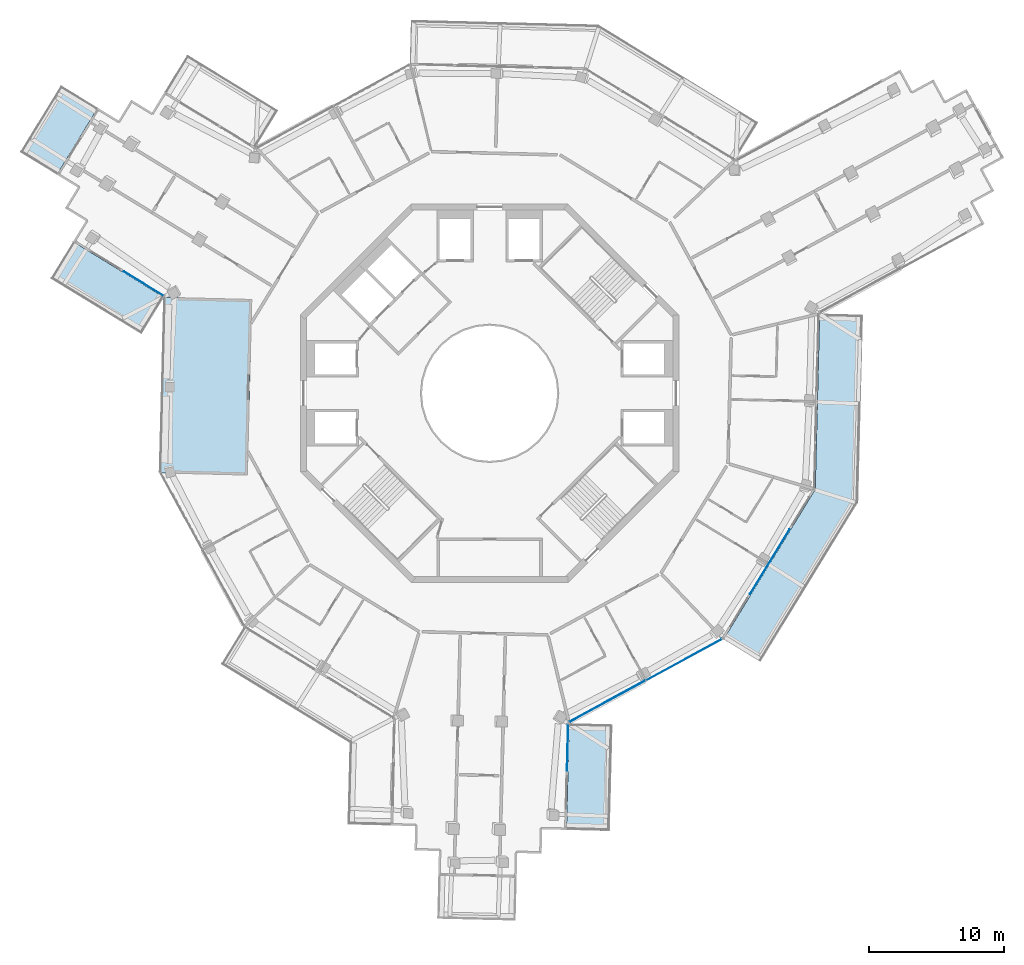
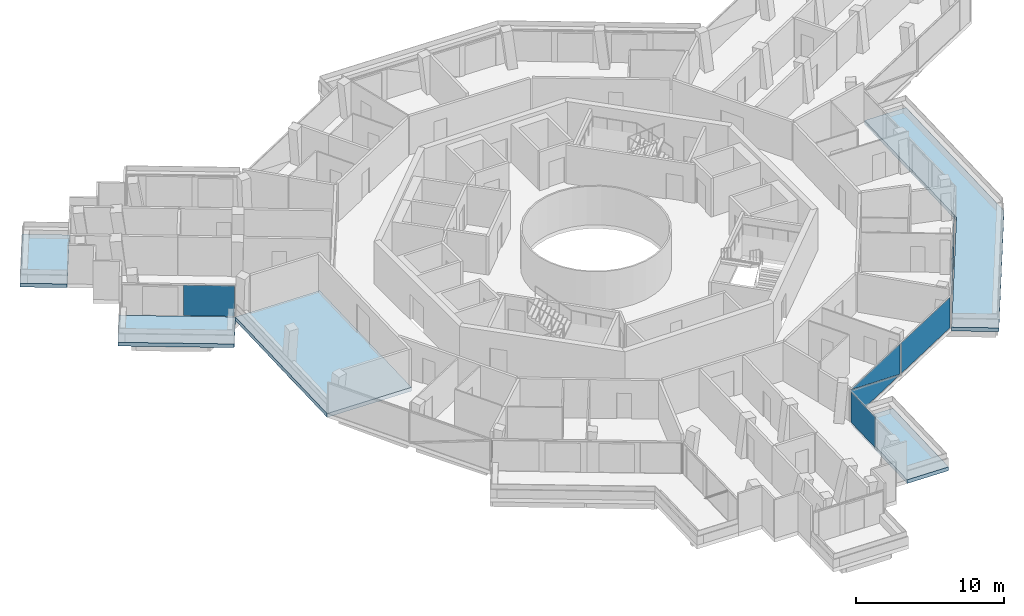
# One storey, part 12 of 24: 6 plates, 5 slabs, 4 elements without a shape of their own.
"""IFC4 building model written with IfcOpenShell, lengths in metres."""

from ifc_helpers import new_model, si_unit, direction, frame, origin, origin_2d, place, context, subcontext, project, spatial, polyline, rectangle, outline, extrude, material, layer, layer_set, type_object, element, aggregate, save


model = new_model("IFC4")

# Units and contexts
model_context = context("Model", 3, precision=1e-05, world=origin(), true_north=direction((0.0, 1.0)))
body_context = subcontext(model_context, "Body", "Model", "MODEL_VIEW")
ifc_project = project(units=[si_unit("LENGTHUNIT", "METRE"), si_unit("AREAUNIT", "SQUARE_METRE"), si_unit("VOLUMEUNIT", "CUBIC_METRE"), si_unit("PLANEANGLEUNIT", "RADIAN"), si_unit("MASSUNIT", "GRAM", prefix="KILO")], contexts=[model_context])

# Site, building, storey
site_placement = place(None, origin())
site = spatial("IfcSite", under=ifc_project, at=site_placement, CompositionType="ELEMENT")
building_placement = place(site_placement, origin())
building = spatial("IfcBuilding", under=site, at=building_placement, Name="Verdalira Terraces Hotel", CompositionType="ELEMENT")
storey_placement = place(building_placement, frame((0.0, 0.0, 274.0)))
storey = spatial("IfcBuildingStorey", under=building, at=storey_placement, Name="L67", CompositionType="ELEMENT", Elevation=274.0)

# Slabs
ifc_material_1 = material(Name="Precast concrete C40/50", Category="concrete")
ifc_layer_1 = layer(ifc_material_1, 0.31005859375)
ifc_layer_set_1 = layer_set([ifc_layer_1], Name="Balcony deck 310")
slab_type_1 = type_object("IfcSlabType", Name="Balcony deck 310", PredefinedType="FLOOR", material=ifc_layer_set_1)
slab_1_placement = place(storey_placement, frame((0.0, 0.0, -0.310059)))
element("IfcSlab", 1, at=slab_1_placement, inside=storey, type_object=slab_type_1, Name="Balcony deck", PredefinedType="FLOOR", context=body_context, shape_type="SweptSolid", body=[
    extrude(outline(polyline([(-34.736572, 17.837646), (-32.006348, 16.168457), (-28.980957, 21.116943), (-31.711182, 22.786133), (-34.736572, 17.837646)])), origin(), (0.0, 0.0, 1.0), 0.310059),
])
slab_2_placement = place(storey_placement, frame((0.0, 0.0, -0.310059)))
element("IfcSlab", 2, at=slab_2_placement, inside=storey, type_object=slab_type_1, Name="Balcony deck", PredefinedType="FLOOR", context=body_context, shape_type="SweptSolid", body=[
    extrude(outline(polyline([(-25.756348, 4.377441), (-24.087402, 7.107666), (-30.812744, 11.219238), (-32.481689, 8.489014), (-25.756348, 4.377441)])), origin(), (0.0, 0.0, 1.0), 0.310059),
])
slab_3_placement = place(storey_placement, frame((0.0, 0.0, -0.310059)))
element("IfcSlab", 3, at=slab_3_placement, inside=storey, type_object=slab_type_1, Name="Balcony deck", PredefinedType="FLOOR", context=body_context, shape_type="SweptSolid", body=[
    extrude(outline(polyline([(9.087402, -24.494385), (5.888428, -24.414062), (5.690186, -32.294189), (8.88916, -32.374512), (9.087402, -24.494385)])), origin(), (0.0, 0.0, 1.0), 0.310059),
])
slab_4_placement = place(storey_placement, frame((0.0, 0.0, -0.310059)))
element("IfcSlab", 4, at=slab_4_placement, inside=storey, type_object=slab_type_1, Name="Balcony deck", PredefinedType="FLOOR", context=body_context, shape_type="SweptSolid", body=[
    extrude(outline(polyline([(27.613037, 5.807861), (24.414062, 5.888428), (24.087402, -7.107666), (17.306396, -18.198975), (20.036621, -19.868164), (27.264648, -8.045166), (27.613037, 5.807861)])), origin(), (0.0, 0.0, 1.0), 0.310059),
])

# Curtain wall, plates
ifc_material_2 = material(Name="Clear glass", Category="glass")
ifc_layer_2 = layer(ifc_material_2, 0.14990234375)
ifc_layer_set_2 = layer_set([ifc_layer_2], Name="CW1 curtain wall")
curtain_wall_type_1 = type_object("IfcCurtainWallType", Name="CW1 curtain wall", PredefinedType="NOTDEFINED", material=ifc_layer_set_2)
curtain_wall_1_placement = place(storey_placement, origin())
curtain_wall_1 = element("IfcCurtainWall", 5, at=curtain_wall_1_placement, inside=storey, type_object=curtain_wall_type_1, Name="CW1 curtain wall L67 edge 25", PredefinedType="NOTDEFINED")
ifc_material_3 = material(Name="Clear glass", Category="glass")
ifc_layer_3 = layer(ifc_material_3, 0.028076171875)
ifc_layer_set_3 = layer_set([ifc_layer_3], Name="CW1 glass unit 28")
plate_type_1 = type_object("IfcPlateType", Name="CW1 glass unit 28", PredefinedType="CURTAIN_PANEL", material=ifc_layer_set_3)
plate_1_placement = place(storey_placement, frame((8.713623, -22.774658, 1.262451), z_axis=(0.478078794, -0.878316951, 0.0), x_axis=(0.878316951, 0.478078794, 0.0)))
plate_1 = element("IfcPlate", 6, at=plate_1_placement, type_object=plate_type_1, Name="CW1 glass unit", PredefinedType="CURTAIN_PANEL", context=body_context, shape_type="SweptSolid", body=[
    extrude(outline(polyline([(-3.205078, -1.262451), (3.205078, -1.262451), (-3.205078, 1.262451), (-3.205078, -1.262451)])), origin(), (0.0, 0.0, 1.0), 0.028076),
])
plate_2_placement = place(storey_placement, frame((8.699707, -22.749268, 1.262451), z_axis=(0.478078794, -0.878316951, 0.0), x_axis=(0.878316951, 0.478078794, 0.0)))
plate_2 = element("IfcPlate", 7, at=plate_2_placement, type_object=plate_type_1, Name="CW1 glass unit", PredefinedType="CURTAIN_PANEL", context=body_context, shape_type="SweptSolid", body=[
    extrude(outline(polyline([(3.205078, -1.262451), (3.205078, 1.262451), (-3.205078, 1.262451), (3.205078, -1.262451)])), origin(), (0.0, 0.0, 1.0), 0.028076),
])
plate_3_placement = place(storey_placement, frame((14.385254, -19.703613, 0.0), z_axis=(0.0, 0.0, 1.0), x_axis=(0.878316951, 0.478078794, 0.0)))
plate_3 = element("IfcPlate", 8, at=plate_3_placement, type_object=plate_type_1, Name="CW1 glass unit", PredefinedType="CURTAIN_PANEL", context=body_context, shape_type="SweptSolid", body=[
    extrude(rectangle(XDim=6.369873, YDim=0.028076, at=origin_2d()), origin(), (0.0, 0.0, 1.0), 2.524902),
])
aggregate(curtain_wall_1, [plate_1, plate_2, plate_3])

# Curtain wall, plate
curtain_wall_2_placement = place(storey_placement, origin())
curtain_wall_2 = element("IfcCurtainWall", 9, at=curtain_wall_2_placement, inside=storey, type_object=curtain_wall_type_1, Name="CW1 curtain wall L67 edge 26", PredefinedType="NOTDEFINED")
plate_4_placement = place(storey_placement, frame((20.726807, -12.460693, 0.0), z_axis=(0.0, 0.0, 1.0), x_axis=(0.521605396, 0.853186856, 0.0)))
plate_4 = element("IfcPlate", 10, at=plate_4_placement, type_object=plate_type_1, Name="CW1 glass unit", PredefinedType="CURTAIN_PANEL", context=body_context, shape_type="SweptSolid", body=[
    extrude(rectangle(XDim=5.586182, YDim=0.028076, at=origin_2d()), origin(), (0.0, 0.0, 1.0), 2.524902),
])
aggregate(curtain_wall_2, [plate_4])

ifc_material_4 = material(Name="Clear glass", Category="glass")
ifc_layer_4 = layer(ifc_material_4, 0.14990234375)
ifc_layer_set_4 = layer_set([ifc_layer_4], Name="CW2 curtain wall")
curtain_wall_type_2 = type_object("IfcCurtainWallType", Name="CW2 curtain wall", PredefinedType="NOTDEFINED", material=ifc_layer_set_4)
curtain_wall_3_placement = place(storey_placement, origin())
curtain_wall_3 = element("IfcCurtainWall", 11, at=curtain_wall_3_placement, inside=storey, type_object=curtain_wall_type_2, Name="CW2 curtain wall L67 edge 10", PredefinedType="NOTDEFINED")
ifc_material_5 = material(Name="Clear glass", Category="glass")
ifc_layer_5 = layer(ifc_material_5, 0.031982421875)
ifc_layer_set_5 = layer_set([ifc_layer_5], Name="CW2 glass unit 32")
plate_type_2 = type_object("IfcPlateType", Name="CW2 glass unit 32", PredefinedType="CURTAIN_PANEL", material=ifc_layer_set_5)
plate_5_placement = place(storey_placement, frame((-25.572266, 8.103271, 0.0), z_axis=(0.0, 0.0, 1.0), x_axis=(0.853186856, -0.521605396, 0.0)))
plate_5 = element("IfcPlate", 12, at=plate_5_placement, type_object=plate_type_2, Name="CW2 glass unit", PredefinedType="CURTAIN_PANEL", context=body_context, shape_type="SweptSolid", body=[
    extrude(rectangle(XDim=3.432617, YDim=0.031982, at=origin_2d()), origin(), (0.0, 0.0, 1.0), 2.524902),
])
aggregate(curtain_wall_3, [plate_5])

curtain_wall_4_placement = place(storey_placement, origin())
curtain_wall_4 = element("IfcCurtainWall", 13, at=curtain_wall_4_placement, inside=storey, type_object=curtain_wall_type_2, Name="CW2 curtain wall L67 edge 24", PredefinedType="NOTDEFINED")
plate_6_placement = place(storey_placement, frame((5.768555, -26.197754, 0.0), z_axis=(0.0, 0.0, 1.0), x_axis=(0.025130095, 0.999684189, 0.0)))
plate_6 = element("IfcPlate", 14, at=plate_6_placement, type_object=plate_type_2, Name="CW2 glass unit", PredefinedType="CURTAIN_PANEL", context=body_context, shape_type="SweptSolid", body=[
    extrude(rectangle(XDim=3.432617, YDim=0.031982, at=origin_2d()), origin(), (0.0, 0.0, 1.0), 2.524902),
])
aggregate(curtain_wall_4, [plate_6])

# Slab
ifc_material_6 = material(Name="Concrete C40", Category="concrete")
ifc_layer_6 = layer(ifc_material_6, 0.31005859375)
ifc_layer_set_6 = layer_set([ifc_layer_6], Name="Loggia floor deck 310 C40")
slab_type_2 = type_object("IfcSlabType", Name="Loggia floor deck 310 C40", PredefinedType="FLOOR", material=ifc_layer_set_6)
slab_5_placement = place(storey_placement, frame((0.0, 0.0, -0.310059)))
element("IfcSlab", 15, at=slab_5_placement, inside=storey, type_object=slab_type_2, Name="Loggia deck L67", PredefinedType="FLOOR", context=body_context, shape_type="SweptSolid", body=[
    extrude(outline(polyline([(-17.589355, 6.944092), (-24.087402, 7.107666), (-24.414062, -5.888184), (-17.916016, -6.051758), (-17.589355, 6.944092)])), origin(), (0.0, 0.0, 1.0), 0.310059),
])

save(model, "model.ifc")
